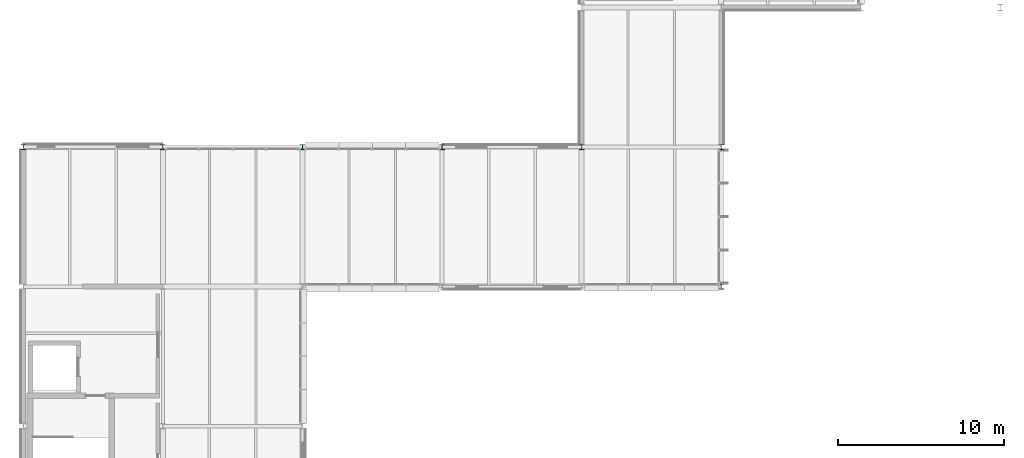
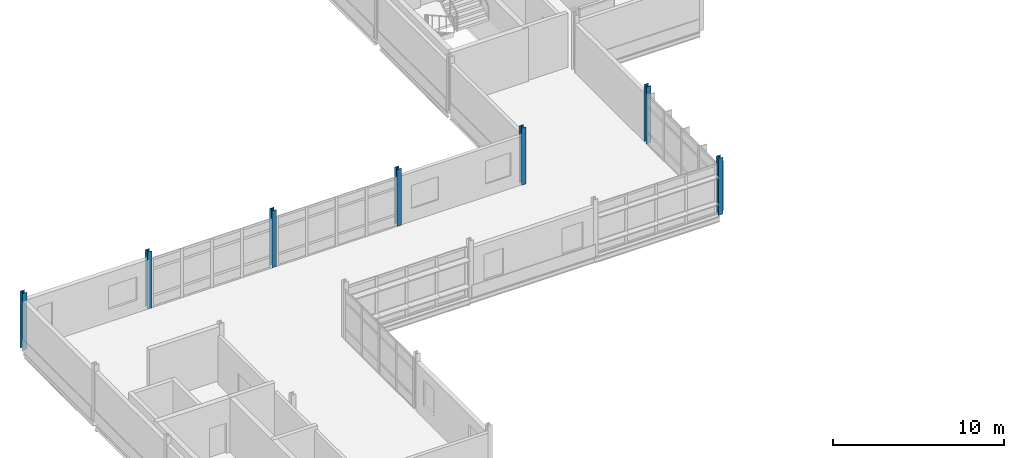
# One storey, part 4 of 103: 7 columns.
"""IFC4 building model written with IfcOpenShell, lengths in metres."""

from ifc_helpers import new_model, si_unit, direction, frame, origin, origin_2d, place, context, subcontext, project, spatial, i_section, extrude, material, material_profile, profile_set, type_object, element, save


model = new_model("IFC4")

# Units and contexts
model_context = context("Model", 3, precision=1e-05, world=origin(), true_north=direction((0.0, 1.0)))
body_context = subcontext(model_context, "Body", "Model", "MODEL_VIEW")
ifc_project = project(units=[si_unit("LENGTHUNIT", "METRE"), si_unit("AREAUNIT", "SQUARE_METRE"), si_unit("VOLUMEUNIT", "CUBIC_METRE"), si_unit("PLANEANGLEUNIT", "RADIAN"), si_unit("MASSUNIT", "GRAM", prefix="KILO")], contexts=[model_context])

# Site, building, storey
site_placement = place(None, origin())
site = spatial("IfcSite", under=ifc_project, at=site_placement, CompositionType="ELEMENT")
building_placement = place(site_placement, origin())
building = spatial("IfcBuilding", under=site, at=building_placement, Name="Mersafa Astral City Hall", CompositionType="ELEMENT")
storey_placement = place(building_placement, frame((0.0, 0.0, 18.0)))
storey = spatial("IfcBuildingStorey", under=building, at=storey_placement, Name="L04", CompositionType="ELEMENT", Elevation=18.0)

# Columns
ifc_material = material(Name="Steel S355", Category="steel")
ifc_material_profile = material_profile(ifc_material, i_section(OverallWidth=0.300048828125, OverallDepth=0.300048828125, WebThickness=0.010986328125, FlangeThickness=0.01904296875, FilletRadius=0.027099609375, at=origin_2d()), Name="HEB 300")
ifc_profile_set = profile_set([ifc_material_profile], Name="Steel S355")
column_type = type_object("IfcColumnType", Name="STR-COL-HEB300", PredefinedType="COLUMN", material=ifc_profile_set)
for number, where, z_axis, x_axis, name in (
    (1, (8.39990234375, 100.800048828125, 0.0), (0.0, 0.0, 1.0), (1.0, 0.0, 0.0), "L04 Structural column G-01-12"),
    (2, (16.800048828125, 100.800048828125, 0.0), (0.0, 0.0, 1.0), (1.0, 0.0, 0.0), "L04 Structural column G-02-12"),
    (3, (25.199951171875, 100.800048828125, 0.0), (0.0, 0.0, 1.0), (1.0, 0.0, 0.0), "L04 Structural column G-03-12"),
    (4, (33.60009765625, 100.800048828125, 0.0), (0.0, 0.0, 1.0), (1.0, 0.0, 0.0), "L04 Structural column G-04-12"),
    (5, (42.0, 100.800048828125, 0.0), (0.0, 0.0, 1.0), (1.0, 0.0, 0.0), "L04 Structural column G-05-12"),
    (6, (50.39990234375, 92.39990234375, 0.0), (0.0, 0.0, 1.0), (1.0, 0.0, 0.0), "L04 Structural column G-06-11"),
    (7, (50.39990234375, 100.800048828125, 0.0), (0.0, 0.0, 1.0), (1.0, 0.0, 0.0), "L04 Structural column G-06-12"),
):
    element("IfcColumn", number, at=place(storey_placement, frame(where, z_axis=z_axis, x_axis=x_axis)), inside=storey, type_object=column_type, Name=name, PredefinedType="COLUMN", context=body_context, shape_type="SweptSolid", body=[
        extrude(i_section(OverallWidth=0.300048828125, OverallDepth=0.300048828125, WebThickness=0.010986328125, FlangeThickness=0.01904296875, FilletRadius=0.027099609375, at=origin_2d()), origin(), (0.0, 0.0, 1.0), 4.050048828125),
    ])

save(model, "model.ifc")
